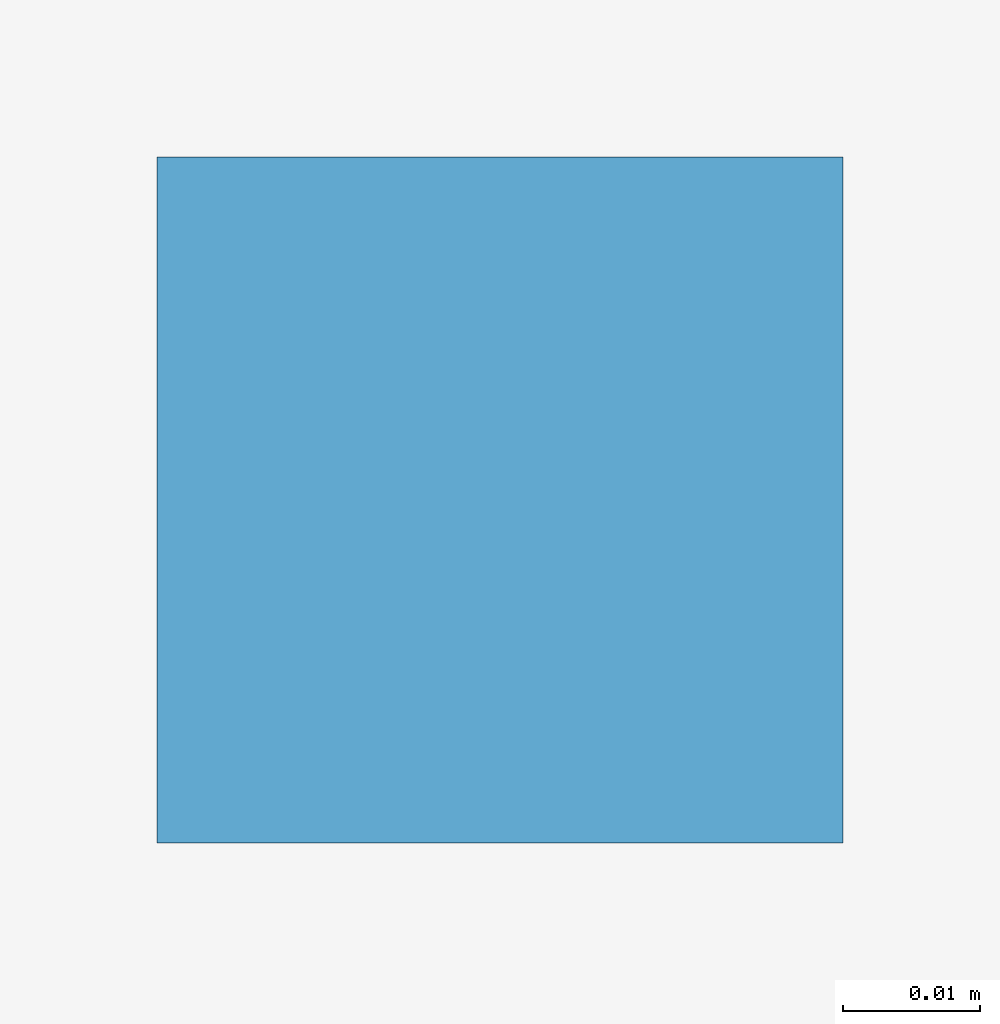
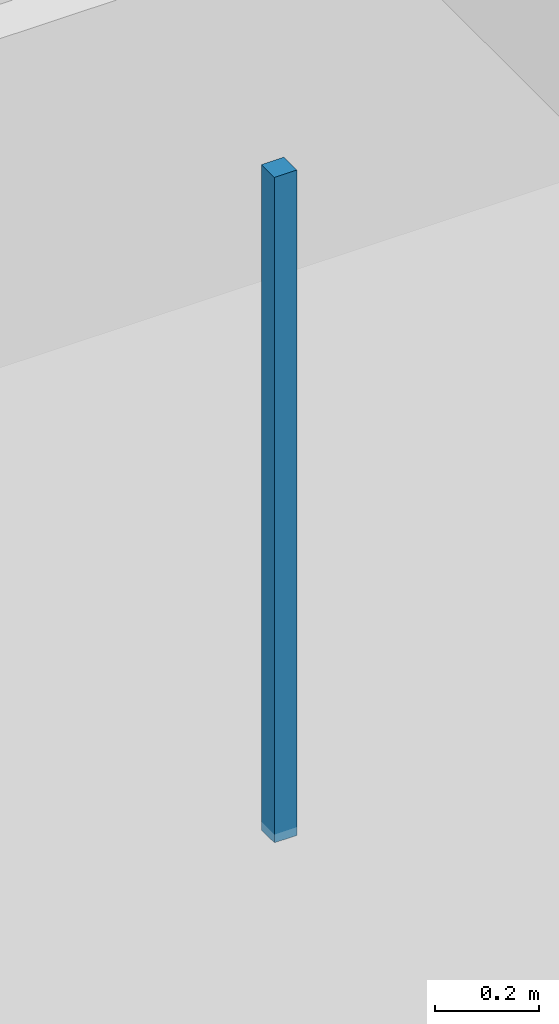
# One storey, part 42 of 54: 1 discrete accessory.
"""IFC4 building model written with IfcOpenShell, lengths in metres."""

from ifc_helpers import new_model, si_unit, direction, frame, origin, origin_2d, place, context, subcontext, project, spatial, rectangle, extrude, material, type_object, element, save


model = new_model("IFC4")

# Units and contexts
model_context = context("Model", 3, precision=1e-05, world=origin(), true_north=direction((0.0, 1.0)))
body_context = subcontext(model_context, "Body", "Model", "MODEL_VIEW")
ifc_project = project(units=[si_unit("LENGTHUNIT", "METRE"), si_unit("AREAUNIT", "SQUARE_METRE"), si_unit("VOLUMEUNIT", "CUBIC_METRE"), si_unit("PLANEANGLEUNIT", "RADIAN"), si_unit("MASSUNIT", "GRAM", prefix="KILO")], contexts=[model_context])

# Site, building, storey
site_placement = place(None, origin())
site = spatial("IfcSite", under=ifc_project, at=site_placement, CompositionType="ELEMENT")
building_placement = place(site_placement, origin())
building = spatial("IfcBuilding", under=site, at=building_placement, Name="Kazehaya Institute of Natural Sciences", CompositionType="ELEMENT")
storey_placement = place(building_placement, frame((0.0, 0.0, 10.43994140625)))
storey = spatial("IfcBuildingStorey", under=building, at=storey_placement, Name="L02", CompositionType="ELEMENT", Elevation=10.43994140625)

# Discrete accessory
ifc_material = material(Name="Structural steel SN490B", Category="steel")
discrete_accessory_type = type_object("IfcDiscreteAccessoryType", Name="ACC-CLG-HGR", PredefinedType="BRACKET", material=ifc_material)
discrete_accessory_placement = place(storey_placement, frame((96.300048828125, 88.675048828125, 3.032470703125), z_axis=(0.0, 0.0, 1.0), x_axis=(1.0, 0.0, 0.0)))
element("IfcDiscreteAccessory", 1, at=discrete_accessory_placement, inside=storey, type_object=discrete_accessory_type, Name="L02 ceiling suspension hanger 31", PredefinedType="BRACKET", context=body_context, shape_type="SweptSolid", body=[
    extrude(rectangle(XDim=0.050048828125, YDim=0.050048828125, at=origin_2d()), origin(), (0.0, 0.0, 1.0), 1.5673828125),
])

save(model, "model.ifc")
